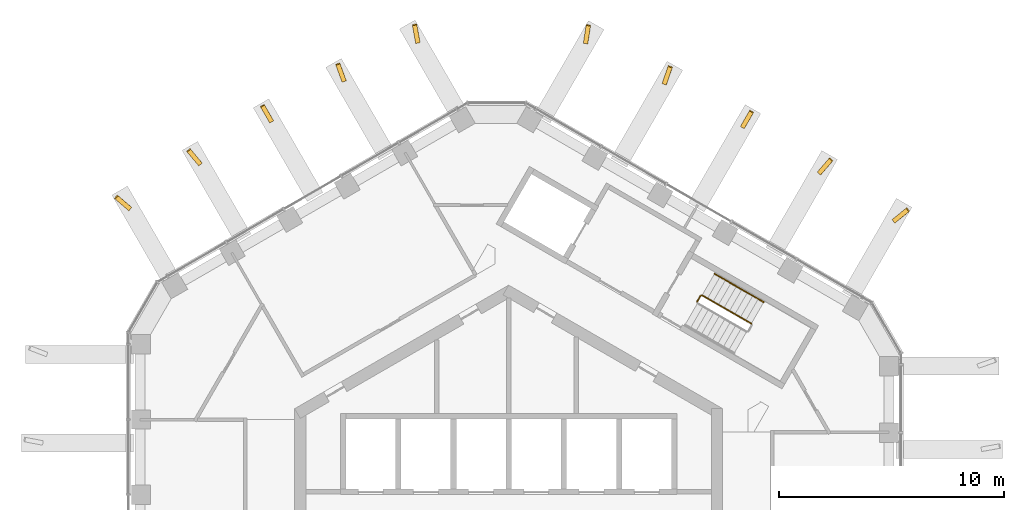
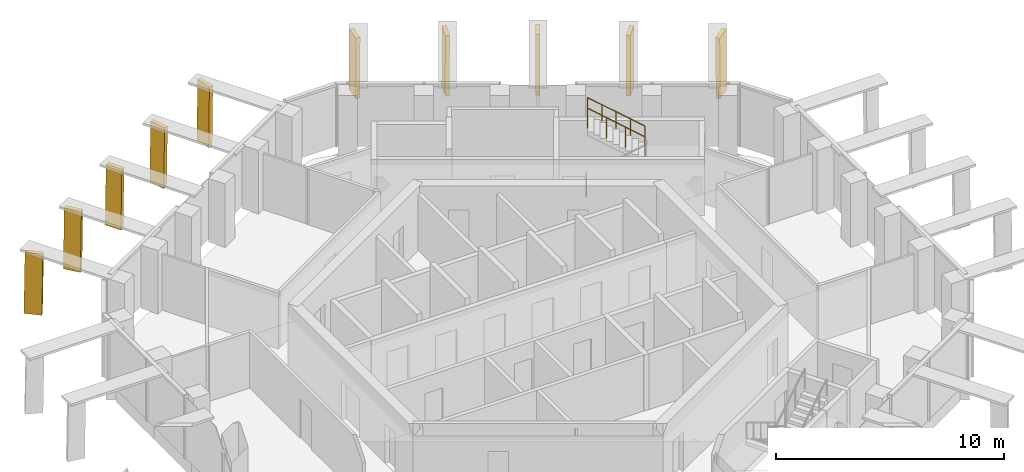
# One storey, part 17 of 17: 10 shading devices, 4 railings.
"""IFC4 building model written with IfcOpenShell, lengths in metres."""

import ifcopenshell
import ifcopenshell.guid

model = None  # the IFC model being written
_history = None  # IfcOwnerHistory: only IFC2X3 demands one
_inside = {}  # id of a spatial element -> (the spatial element, [elements in it])
_under = {}  # id of a project, library or spatial element -> (it, [spatial elements below it])
_declared = {}  # id of a project -> (the project, [libraries it declares])
_typed = {}  # id of a type object -> (the type object, [elements of that type])
_made_of = {}  # id of a material, layer set ... -> (it, [elements and type objects made of it])


def new_model(schema):
    """Start an empty IFC model of exactly this schema.

    Asked for "IFC4X3", IfcOpenShell would pick the latest addendum, in which some entities
    have other attributes; the version numbers below select the first issue.
    IFC2X3 requires an IfcOwnerHistory on every rooted entity: one is made here for all.
    """
    global model, _history
    if schema == "IFC4X3":
        model = ifcopenshell.file(schema_version=(4, 3, 0, 0))
    else:
        model = ifcopenshell.file(schema=schema)
    _inside.clear()
    _under.clear()
    _declared.clear()
    _typed.clear()
    _made_of.clear()
    _history = None
    if model.schema == "IFC2X3":
        org = make("IfcOrganization", Name="unknown")
        user = make(
            "IfcPersonAndOrganization",
            ThePerson=make("IfcPerson", FamilyName="unknown"),
            TheOrganization=org,
        )
        app = make(
            "IfcApplication",
            ApplicationDeveloper=org,
            Version="unknown",
            ApplicationFullName="unknown",
            ApplicationIdentifier="unknown",
        )
        _history = make(
            "IfcOwnerHistory",
            OwningUser=user,
            OwningApplication=app,
            ChangeAction="ADDED",
            CreationDate=0,
        )
    return model


def make(cls, **values):
    """One entity of the class cls with the attributes given. An attribute that is None is left unset."""
    return model.create_entity(
        cls, **{name: value for name, value in values.items() if value is not None}
    )


def rooted(cls, **values):
    """An entity with a GlobalId (a new one), such as an element, a storey or a relation."""
    return make(cls, GlobalId=ifcopenshell.guid.new(), OwnerHistory=_history, **values)


def si_unit(unit_type, name, prefix=None):
    """IfcSIUnit, for example si_unit("LENGTHUNIT", "METRE", prefix="MILLI")."""
    return make("IfcSIUnit", UnitType=unit_type, Prefix=prefix, Name=name)


def assignment(units):
    """IfcUnitAssignment: the units of a project."""
    return None if units is None else make("IfcUnitAssignment", Units=units)


def point(xyz):
    """IfcCartesianPoint."""
    return None if xyz is None else make("IfcCartesianPoint", Coordinates=xyz)


def direction(xyz):
    """IfcDirection."""
    return None if xyz is None else make("IfcDirection", DirectionRatios=xyz)


def frame(location, z_axis=None, x_axis=None):
    """IfcAxis2Placement3D, a coordinate frame: its origin and axes. An axis left out is left unset."""
    return make(
        "IfcAxis2Placement3D",
        Location=point(location),
        Axis=direction(z_axis),
        RefDirection=direction(x_axis),
    )


def frame_2d(location, x_axis=None):
    """IfcAxis2Placement2D, a coordinate frame in the plane: its origin and x axis."""
    return make(
        "IfcAxis2Placement2D", Location=point(location), RefDirection=direction(x_axis)
    )


def origin():
    """The frame at (0, 0, 0) with its axes left unset."""
    return frame((0.0, 0.0, 0.0))


def origin_2d():
    """The frame at (0, 0) in the plane with its x axis left unset."""
    return frame_2d((0.0, 0.0))


def place(relative_to, where):
    """IfcLocalPlacement: puts the frame where relative to a parent placement (None: the world)."""
    return make(
        "IfcLocalPlacement", PlacementRelTo=relative_to, RelativePlacement=where
    )


def context(
    kind, dimensions, precision=None, world=None, true_north=None, identifier=None
):
    """IfcGeometricRepresentationContext, for example the 3D "Model" context."""
    return make(
        "IfcGeometricRepresentationContext",
        ContextIdentifier=identifier,
        ContextType=kind,
        CoordinateSpaceDimension=dimensions,
        Precision=precision,
        WorldCoordinateSystem=world,
        TrueNorth=true_north,
    )


def subcontext(parent, identifier, kind, view, scale=None):
    """IfcGeometricRepresentationSubContext, for example "Body" below "Model"."""
    return make(
        "IfcGeometricRepresentationSubContext",
        ContextIdentifier=identifier,
        ContextType=kind,
        ParentContext=parent,
        TargetScale=scale,
        TargetView=view,
    )


def project(units=None, contexts=None):
    """IfcProject with its units and contexts."""
    return rooted(
        "IfcProject",
        Name="project",
        RepresentationContexts=contexts,
        UnitsInContext=assignment(units),
    )


def spatial(cls, under=None, at=None, **own):
    """A site, building, storey or space (cls), placed at a placement, below another one or the project."""
    s = rooted(cls, ObjectPlacement=at, **own)
    if under is not None:
        _under.setdefault(under.id(), (under, []))[1].append(s)
    return s


def polyline(points):
    """IfcPolyline through the points."""
    return make("IfcPolyline", Points=[point(p) for p in points])


def profile(cls, at=None, kind="AREA", **sizes):
    """A parametric profile (cls). Its sizes go by their IFC names, for example OverallWidth=200.0."""
    return make(cls, ProfileType=kind, Position=at, **sizes)


def circle(**sizes):
    """IfcCircleProfileDef."""
    return profile("IfcCircleProfileDef", **sizes)


def outline(outer, holes=None, kind="AREA"):
    """IfcArbitraryClosedProfileDef: a profile drawn as a closed curve; with holes, ...WithVoids."""
    if holes is None:
        return make("IfcArbitraryClosedProfileDef", ProfileType=kind, OuterCurve=outer)
    return make(
        "IfcArbitraryProfileDefWithVoids",
        ProfileType=kind,
        OuterCurve=outer,
        InnerCurves=holes,
    )


def extrude(swept, where, along, depth):
    """IfcExtrudedAreaSolid: the profile swept, set in the frame where, extruded along a direction by depth."""
    return make(
        "IfcExtrudedAreaSolid",
        SweptArea=swept,
        Position=where,
        ExtrudedDirection=direction(along),
        Depth=depth,
    )


def shape(context_of_items, identifier, shape_type, items):
    """IfcShapeRepresentation: the items that make up one representation, for example the "Body"."""
    return make(
        "IfcShapeRepresentation",
        ContextOfItems=context_of_items,
        RepresentationIdentifier=identifier,
        RepresentationType=shape_type,
        Items=items,
    )


def material(Name=None, Category=None):
    """IfcMaterial."""
    return make("IfcMaterial", Name=Name, Category=Category)


def layer(
    of_material, thickness, ventilated=None, Name=None, Category=None, Priority=None
):
    """IfcMaterialLayer: one layer of a wall or slab, of a material (None: an air gap)."""
    return make(
        "IfcMaterialLayer",
        Material=of_material,
        LayerThickness=thickness,
        IsVentilated=ventilated,
        Name=Name,
        Category=Category,
        Priority=Priority,
    )


def layer_set(layers, Name=None):
    """IfcMaterialLayerSet."""
    return make("IfcMaterialLayerSet", MaterialLayers=layers, LayerSetName=Name)


def made_of(thing, what):
    """Note that an element or type object is made of a material, layer set ...; save() writes the relation."""
    if what is not None:
        _made_of.setdefault(what.id(), (what, []))[1].append(thing)
    return thing


def type_object(cls, material=None, **own):
    """A type object (cls), such as IfcWallType, which elements share."""
    return made_of(rooted(cls, **own), material)


def element(
    cls,
    number,
    at=None,
    inside=None,
    cuts=None,
    type_object=None,
    material=None,
    context=None,
    identifier="Body",
    shape_type=None,
    held_by="IfcProductDefinitionShape",
    body=None,
    shapes=None,
    **own,
):
    """One element of the class cls, such as IfcWall. Its Tag is "e" and its number.

    at: its placement. inside: the storey or other place that contains it. cuts: it is an
    opening in that element (IfcRelVoidsElement). A single representation is given by context,
    identifier, shape_type and body (its items); several are given by shapes. held_by: the class
    of the entity that holds the representations. save() writes the other relations.
    """
    e = rooted(cls, Tag="e%d" % number, ObjectPlacement=at, **own)
    if body is not None:
        shapes = [shape(context, identifier, shape_type, body)]
    if shapes is not None:
        e.Representation = make(held_by, Representations=shapes)
    if inside is not None:
        _inside.setdefault(inside.id(), (inside, []))[1].append(e)
    if cuts is not None:
        rooted(
            "IfcRelVoidsElement", RelatingBuildingElement=cuts, RelatedOpeningElement=e
        )
    if type_object is not None:
        _typed.setdefault(type_object.id(), (type_object, []))[1].append(e)
    return made_of(e, material)


def aggregate(whole, parts):
    """IfcRelAggregates: a whole, such as a stair, and the parts it consists of."""
    return rooted("IfcRelAggregates", RelatingObject=whole, RelatedObjects=parts)


def save(model, path):
    """Write the relations noted so far, then the file.

    IfcRelAggregates (storeys below a building ...), IfcRelContainedInSpatialStructure (elements
    in a storey), IfcRelDefinesByType, IfcRelAssociatesMaterial and IfcRelDeclares: one each for
    every whole, place, type object, material and project.
    """
    for whole, parts in _under.values():
        aggregate(whole, parts)
    for where, things in _inside.values():
        rooted(
            "IfcRelContainedInSpatialStructure",
            RelatedElements=things,
            RelatingStructure=where,
        )
    for kind, things in _typed.values():
        rooted("IfcRelDefinesByType", RelatedObjects=things, RelatingType=kind)
    for what, things in _made_of.values():
        rooted("IfcRelAssociatesMaterial", RelatedObjects=things, RelatingMaterial=what)
    for by, libraries in _declared.values():
        rooted("IfcRelDeclares", RelatingContext=by, RelatedDefinitions=libraries)
    model.write(path)


model = new_model("IFC4")

# Units and contexts
model_context = context("Model", 3, precision=1e-05, world=origin(), true_north=direction((0.0, 1.0)))
body_context = subcontext(model_context, "Body", "Model", "MODEL_VIEW")
ifc_project = project(units=[si_unit("LENGTHUNIT", "METRE"), si_unit("AREAUNIT", "SQUARE_METRE"), si_unit("VOLUMEUNIT", "CUBIC_METRE"), si_unit("PLANEANGLEUNIT", "RADIAN"), si_unit("MASSUNIT", "GRAM", prefix="KILO")], contexts=[model_context])

# Site, building, storey
site_placement = place(None, origin())
site = spatial("IfcSite", under=ifc_project, at=site_placement, CompositionType="ELEMENT")
building_placement = place(site_placement, origin())
building = spatial("IfcBuilding", under=site, at=building_placement, Name="Ayvan Gate Tower", CompositionType="ELEMENT")
storey_placement = place(building_placement, frame((0.0, 0.0, 249.5)))
storey = spatial("IfcBuildingStorey", under=building, at=storey_placement, Name="L67", CompositionType="ELEMENT", Elevation=249.5)

# Shading devices
ifc_material_1 = material(Name="Bronze anodised aluminium", Category="aluminium")
ifc_layer = layer(ifc_material_1, 0.199951171875)
ifc_layer_set = layer_set([ifc_layer], Name="Bronze anodised aluminium")
shading_device_type = type_object("IfcShadingDeviceType", Name="Crown frame rib 800 x 200", PredefinedType="USERDEFINED", material=ifc_layer_set)
shading_device_1_placement = place(storey_placement, frame((-3.937255859375, 21.782470703125, 0.0), z_axis=(0.983236343139, 0.182335107084, 0.000449726976), x_axis=(-0.182335125553, 0.983236442566, 6.7468e-08)))
element("IfcShadingDevice", 1, at=shading_device_1_placement, inside=storey, type_object=shading_device_type, Name="CROWN FRAME rib FR05.3.1", ObjectType="FIN", PredefinedType="USERDEFINED", context=body_context, shape_type="SweptSolid", body=[
    extrude(outline(polyline([(0.0, 0.0), (0.8000547419501695, -1.3552527156068805e-20), (0.7499007342774935, 3.280029577980925), (-0.05010949226116409, 3.2800296859339646), (0.0, 0.0)])), origin(), (0.0, 0.0, -1.0), 0.199951171875),
])
shading_device_2_placement = place(storey_placement, frame((-7.221923828125, 20.08642578125, 0.0), z_axis=(0.939445353111, 0.342698434804, 0.00045967571), x_axis=(-0.342698471021, 0.93944545236, 2.404e-08)))
element("IfcShadingDevice", 2, at=shading_device_2_placement, inside=storey, type_object=shading_device_type, Name="CROWN FRAME rib FR05.3.2", ObjectType="FIN", PredefinedType="USERDEFINED", context=body_context, shape_type="SweptSolid", body=[
    extrude(outline(polyline([(0.0, 0.0), (0.7999178430958582, 1.3552527156068805e-20), (0.753154987232106, 3.280029625307442), (-0.04699221266364478, 3.2800296637724684), (0.0, 0.0)])), origin(), (0.0, 0.0, -1.0), 0.199951171875),
])
shading_device_3_placement = place(storey_placement, frame((-10.453369140625, 18.305419921875, 0.0), z_axis=(0.866027972677, 0.499995360547, 0.000435858497), x_axis=(-0.499995408018, 0.86602805495, -5.7597e-08)))
element("IfcShadingDevice", 3, at=shading_device_3_placement, inside=storey, type_object=shading_device_type, Name="CROWN FRAME rib FR05.3.3", ObjectType="FIN", PredefinedType="USERDEFINED", context=body_context, shape_type="SweptSolid", body=[
    extrude(outline(polyline([(0.0, 0.0), (0.7999951411821995, 0.0), (0.754366479368583, 3.2800296518822236), (-0.04575073100502695, 3.280029559720484), (0.0, 0.0)])), origin(), (0.0, 0.0, -1.0), 0.199951171875),
])
shading_device_4_placement = place(storey_placement, frame((-13.631103515625, 16.426025390625, 0.0), z_axis=(0.766416836912, 0.64234338243, 0.000459505439), x_axis=(-0.642343450263, 0.766416917809, 5.374e-08)))
element("IfcShadingDevice", 4, at=shading_device_4_placement, inside=storey, type_object=shading_device_type, Name="CROWN FRAME rib FR05.3.4", ObjectType="FIN", PredefinedType="USERDEFINED", context=body_context, shape_type="SweptSolid", body=[
    extrude(outline(polyline([(0.0, 0.0), (0.7999525984918523, 2.710505431213761e-20), (0.7530368018201681, 3.2800296026878004), (-0.0467589745402724, 3.280029688659046), (0.0, 0.0)])), origin(), (0.0, 0.0, -1.0), 0.199951171875),
])
shading_device_5_placement = place(storey_placement, frame((-16.765625, 14.453125, 0.0), z_axis=(0.64945821615, 0.760397154858, 0.000438587972), x_axis=(-0.760397228005, 0.6494582786, 4.3462e-08)))
element("IfcShadingDevice", 5, at=shading_device_5_placement, inside=storey, type_object=shading_device_type, Name="CROWN FRAME rib FR05.3.5", ObjectType="FIN", PredefinedType="USERDEFINED", context=body_context, shape_type="SweptSolid", body=[
    extrude(outline(polyline([(0.0, 0.0), (0.8000383567015734, -5.421010862427522e-20), (0.7497538268131415, 3.280029579761683), (-0.050098886033938646, 3.280029649295751), (0.0, 0.0)])), origin(), (0.0, 0.0, -1.0), 0.199951171875),
])
shading_device_6_placement = place(storey_placement, frame((17.1787109375, 13.75244140625, 0.0), z_axis=(0.628447147966, -0.777852140161, 0.000479854731), x_axis=(0.777852229729, 0.628447220302, -4.6016e-08)))
element("IfcShadingDevice", 6, at=shading_device_6_placement, inside=storey, type_object=shading_device_type, Name="CROWN FRAME rib FR05.2.1", ObjectType="FIN", PredefinedType="USERDEFINED", context=body_context, shape_type="SweptSolid", body=[
    extrude(outline(polyline([(0.0, 0.0), (0.7999800195755731, 2.710505431213761e-20), (0.7501534717804541, 3.2800297090248773), (-0.04963664246559531, 3.280029635409746), (0.0, 0.0)])), origin(), (0.0, 0.0, -1.0), 0.199951171875),
])
shading_device_7_placement = place(storey_placement, frame((13.875, 15.8896484375, 0.0), z_axis=(0.756373286236, -0.654140060136, 0.000483314903), x_axis=(0.654140136576, 0.756373374545, -1.04024e-07)))
element("IfcShadingDevice", 7, at=shading_device_7_placement, inside=storey, type_object=shading_device_type, Name="CROWN FRAME rib FR05.2.2", ObjectType="FIN", PredefinedType="USERDEFINED", context=body_context, shape_type="SweptSolid", body=[
    extrude(outline(polyline([(0.0, 0.0), (0.7999925964211455, 2.710505431213761e-20), (0.7542517547829302, 3.280029758431431), (-0.045765800924828993, 3.2800295919927502), (0.0, 0.0)])), origin(), (0.0, 0.0, -1.0), 0.199951171875),
])
shading_device_8_placement = place(storey_placement, frame((10.478271484375, 17.949462890625, 0.0), z_axis=(0.865923737131, -0.500175860849, 0.000435542111), x_axis=(0.500175908302, 0.865923819256, -3.3245e-08)))
element("IfcShadingDevice", 8, at=shading_device_8_placement, inside=storey, type_object=shading_device_type, Name="CROWN FRAME rib FR05.2.3", ObjectType="FIN", PredefinedType="USERDEFINED", context=body_context, shape_type="SweptSolid", body=[
    extrude(outline(polyline([(0.0, 0.0), (0.7999058078455124, 0.0), (0.7556261198556147, 3.280029633101454), (-0.044491095172333184, 3.280029579908959), (0.0, 0.0)])), origin(), (0.0, 0.0, -1.0), 0.199951171875),
])
shading_device_9_placement = place(storey_placement, frame((7.011962890625, 19.8955078125, 0.0), z_axis=(0.944640730659, -0.328106231166, 0.000437092557), x_axis=(0.328106262508, 0.944640820896, 0.0)))
element("IfcShadingDevice", 9, at=shading_device_9_placement, inside=storey, type_object=shading_device_type, Name="CROWN FRAME rib FR05.2.4", ObjectType="FIN", PredefinedType="USERDEFINED", context=body_context, shape_type="SweptSolid", body=[
    extrude(outline(polyline([(0.0, 0.0), (0.7998968683762595, -1.3552527156068805e-20), (0.7541704857481262, 3.280029610199685), (-0.04572638262813335, 3.280029610199685), (0.0, 0.0)])), origin(), (0.0, 0.0, -1.0), 0.199951171875),
])
shading_device_10_placement = place(storey_placement, frame((3.51806640625, 21.722412109375, 0.0), z_axis=(0.987861628519, -0.155335671584, 0.000481697623), x_axis=(0.155335689605, 0.987861743127, 0.0)))
element("IfcShadingDevice", 10, at=shading_device_10_placement, inside=storey, type_object=shading_device_type, Name="CROWN FRAME rib FR05.2.5", ObjectType="FIN", PredefinedType="USERDEFINED", context=body_context, shape_type="SweptSolid", body=[
    extrude(outline(polyline([(0.0, 0.0), (0.7999937325470513, 6.776263578034403e-21), (0.7503171932817938, 3.280029677411929), (-0.049676539265257495, 3.280029677411929), (0.0, 0.0)])), origin(), (0.0, 0.0, -1.0), 0.199951171875),
])

# Railings
ifc_material_2 = material(Name="Stainless steel balustrade", Category="steel")
railing_type_1 = type_object("IfcRailingType", Name="RL-GUARD-1100", PredefinedType="GUARDRAIL", material=ifc_material_2)
railing_1_placement = place(storey_placement, frame((10.7685546875, 9.261474609375, 1.8701171875)))
element("IfcRailing", 11, at=railing_1_placement, inside=storey, type_object=railing_type_1, Name="L67 STS1 stair guard 3", PredefinedType="GUARDRAIL", context=body_context, shape_type="SweptSolid", body=[
    extrude(circle(Radius=0.02392578125, at=origin_2d()), frame((0.0, 0.0, 1.076171875), z_axis=(-0.740292969978, 0.427413806696, 0.51892557891), x_axis=(-0.500004791531, -0.866022637375, 0.0)), (0.0, 0.0, 1.0), 2.947998046875),
    extrude(circle(Radius=0.02099609375, at=origin_2d()), origin(), (0.0, 0.0, 1.0), 1.052001953125),
    extrude(circle(Radius=0.02099609375, at=origin_2d()), frame((-0.7275390625, 0.419921875, 0.510009765625)), (0.0, 0.0, 1.0), 1.052001953125),
    extrude(circle(Radius=0.02099609375, at=origin_2d()), frame((-1.454833984375, 0.840087890625, 1.019775390625)), (0.0, 0.0, 1.0), 1.052001953125),
    extrude(circle(Radius=0.02099609375, at=origin_2d()), frame((-2.182373046875, 1.260009765625, 1.52978515625)), (0.0, 0.0, 1.0), 1.052001953125),
])
railing_2_placement = place(storey_placement, frame((8.36279296875, 10.23486328125, 0.0)))
element("IfcRailing", 12, at=railing_2_placement, inside=storey, type_object=railing_type_1, Name="L67 STS1 stair guard 4", PredefinedType="GUARDRAIL", context=body_context, shape_type="SweptSolid", body=[
    extrude(circle(Radius=0.02392578125, at=origin_2d()), frame((0.0, 0.0, 1.076171875), z_axis=(0.500290723946, 0.86585748916, 0.0), x_axis=(-0.86585748916, 0.500290723946, 0.0)), (0.0, 0.0, 1.0), 0.309814453125),
    extrude(circle(Radius=0.02099609375, at=origin_2d()), origin(), (0.0, 0.0, 1.0), 1.052001953125),
    extrude(circle(Radius=0.02099609375, at=origin_2d()), frame((0.155029296875, 0.268310546875, 0.0)), (0.0, 0.0, 1.0), 1.052001953125),
])
railing_type_2 = type_object("IfcRailingType", Name="RL-HANDRAIL-900", PredefinedType="HANDRAIL", material=ifc_material_2)
railing_3_placement = place(storey_placement, frame((11.318603515625, 10.214111328125, 1.8701171875)))
element("IfcRailing", 13, at=railing_3_placement, inside=storey, type_object=railing_type_2, Name="L67 STS1 stair handrail 3", PredefinedType="HANDRAIL", context=body_context, shape_type="SweptSolid", body=[
    extrude(circle(Radius=0.02392578125, at=origin_2d()), frame((0.0, 0.0, 0.8759765625), z_axis=(-0.740304193401, 0.427455284825, 0.518875399983), x_axis=(-0.500035496587, -0.86600490885, 0.0)), (0.0, 0.0, 1.0), 1.47412109375),
    extrude(circle(Radius=0.02099609375, at=origin_2d()), origin(), (0.0, 0.0, 1.0), 0.851806640625),
    extrude(circle(Radius=0.02099609375, at=origin_2d()), frame((-0.545654296875, 0.31494140625, 0.38232421875)), (0.0, 0.0, 1.0), 0.851806640625),
    extrude(circle(Radius=0.02099609375, at=origin_2d()), frame((-1.09130859375, 0.630126953125, 0.764892578125)), (0.0, 0.0, 1.0), 0.851806640625),
])
railing_4_placement = place(storey_placement, frame((10.227294921875, 10.84423828125, 2.635009765625)))
element("IfcRailing", 14, at=railing_4_placement, inside=storey, type_object=railing_type_2, Name="L67 STS1 stair handrail 4", PredefinedType="HANDRAIL", context=body_context, shape_type="SweptSolid", body=[
    extrude(circle(Radius=0.02392578125, at=origin_2d()), frame((0.0, 0.0, 0.8759765625), z_axis=(-0.740356597536, 0.427319915356, 0.518912129772), x_axis=(-0.499890179513, -0.866088799389, 0.0)), (0.0, 0.0, 1.0), 1.47412109375),
    extrude(circle(Radius=0.02099609375, at=origin_2d()), origin(), (0.0, 0.0, 1.0), 0.851806640625),
    extrude(circle(Radius=0.02099609375, at=origin_2d()), frame((-0.545654296875, 0.31494140625, 0.38232421875)), (0.0, 0.0, 1.0), 0.851806640625),
    extrude(circle(Radius=0.02099609375, at=origin_2d()), frame((-1.09130859375, 0.6298828125, 0.764892578125)), (0.0, 0.0, 1.0), 0.851806640625),
])

save(model, "model.ifc")
